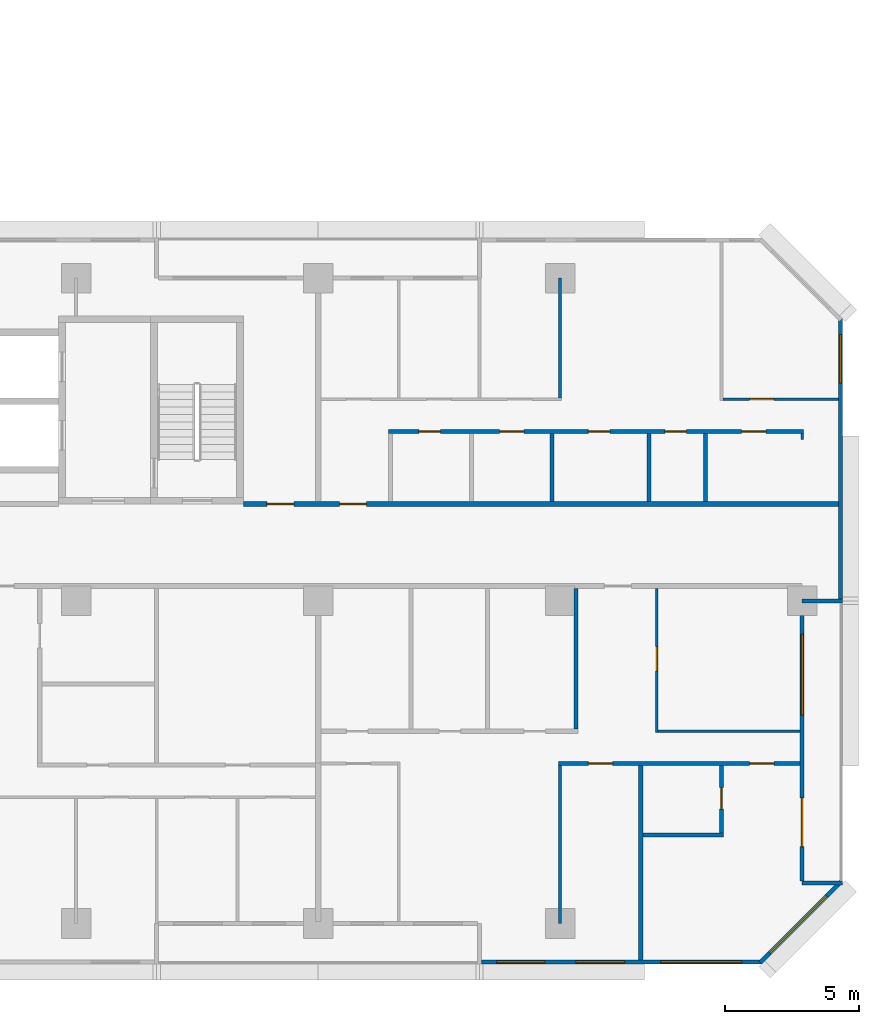
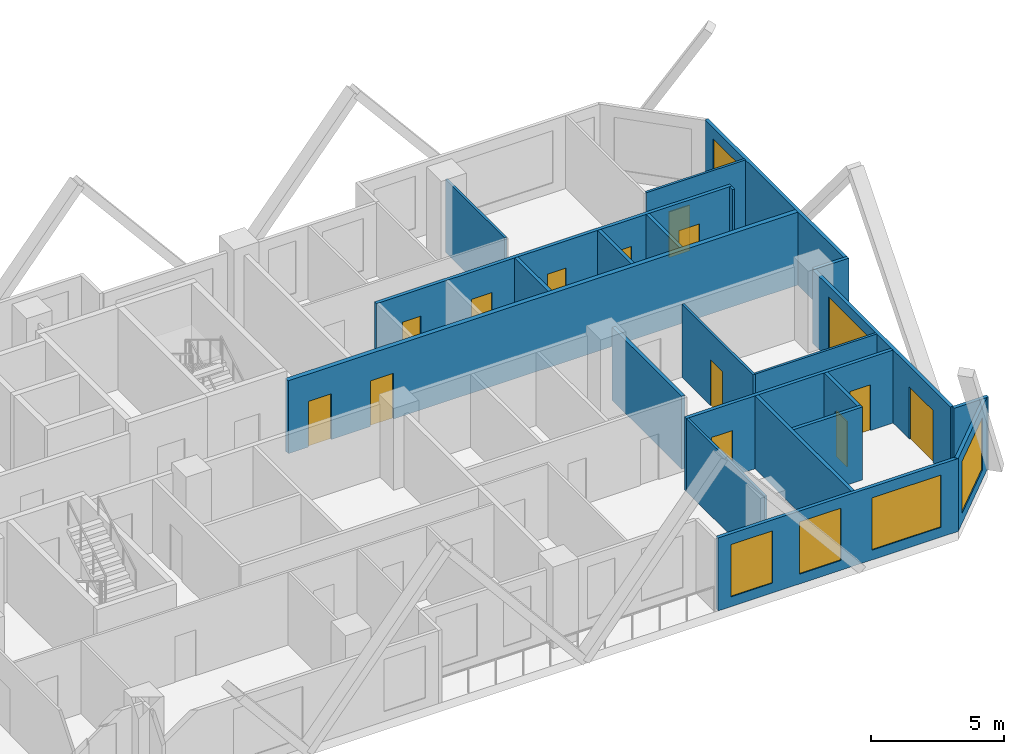
# One storey, part 11 of 15: 22 walls, 13 doors, 6 windows, 19 openings.
"""IFC4 building model written with IfcOpenShell, lengths in metres."""

import ifcopenshell
import ifcopenshell.guid

model = None  # the IFC model being written
_history = None  # IfcOwnerHistory: only IFC2X3 demands one
_inside = {}  # id of a spatial element -> (the spatial element, [elements in it])
_under = {}  # id of a project, library or spatial element -> (it, [spatial elements below it])
_declared = {}  # id of a project -> (the project, [libraries it declares])
_typed = {}  # id of a type object -> (the type object, [elements of that type])
_made_of = {}  # id of a material, layer set ... -> (it, [elements and type objects made of it])


def new_model(schema):
    """Start an empty IFC model of exactly this schema.

    Asked for "IFC4X3", IfcOpenShell would pick the latest addendum, in which some entities
    have other attributes; the version numbers below select the first issue.
    IFC2X3 requires an IfcOwnerHistory on every rooted entity: one is made here for all.
    """
    global model, _history
    if schema == "IFC4X3":
        model = ifcopenshell.file(schema_version=(4, 3, 0, 0))
    else:
        model = ifcopenshell.file(schema=schema)
    _inside.clear()
    _under.clear()
    _declared.clear()
    _typed.clear()
    _made_of.clear()
    _history = None
    if model.schema == "IFC2X3":
        org = make("IfcOrganization", Name="unknown")
        user = make(
            "IfcPersonAndOrganization",
            ThePerson=make("IfcPerson", FamilyName="unknown"),
            TheOrganization=org,
        )
        app = make(
            "IfcApplication",
            ApplicationDeveloper=org,
            Version="unknown",
            ApplicationFullName="unknown",
            ApplicationIdentifier="unknown",
        )
        _history = make(
            "IfcOwnerHistory",
            OwningUser=user,
            OwningApplication=app,
            ChangeAction="ADDED",
            CreationDate=0,
        )
    return model


def make(cls, **values):
    """One entity of the class cls with the attributes given. An attribute that is None is left unset."""
    return model.create_entity(
        cls, **{name: value for name, value in values.items() if value is not None}
    )


def rooted(cls, **values):
    """An entity with a GlobalId (a new one), such as an element, a storey or a relation."""
    return make(cls, GlobalId=ifcopenshell.guid.new(), OwnerHistory=_history, **values)


def si_unit(unit_type, name, prefix=None):
    """IfcSIUnit, for example si_unit("LENGTHUNIT", "METRE", prefix="MILLI")."""
    return make("IfcSIUnit", UnitType=unit_type, Prefix=prefix, Name=name)


def assignment(units):
    """IfcUnitAssignment: the units of a project."""
    return None if units is None else make("IfcUnitAssignment", Units=units)


def point(xyz):
    """IfcCartesianPoint."""
    return None if xyz is None else make("IfcCartesianPoint", Coordinates=xyz)


def direction(xyz):
    """IfcDirection."""
    return None if xyz is None else make("IfcDirection", DirectionRatios=xyz)


def frame(location, z_axis=None, x_axis=None):
    """IfcAxis2Placement3D, a coordinate frame: its origin and axes. An axis left out is left unset."""
    return make(
        "IfcAxis2Placement3D",
        Location=point(location),
        Axis=direction(z_axis),
        RefDirection=direction(x_axis),
    )


def frame_2d(location, x_axis=None):
    """IfcAxis2Placement2D, a coordinate frame in the plane: its origin and x axis."""
    return make(
        "IfcAxis2Placement2D", Location=point(location), RefDirection=direction(x_axis)
    )


def origin():
    """The frame at (0, 0, 0) with its axes left unset."""
    return frame((0.0, 0.0, 0.0))


def place(relative_to, where):
    """IfcLocalPlacement: puts the frame where relative to a parent placement (None: the world)."""
    return make(
        "IfcLocalPlacement", PlacementRelTo=relative_to, RelativePlacement=where
    )


def context(
    kind, dimensions, precision=None, world=None, true_north=None, identifier=None
):
    """IfcGeometricRepresentationContext, for example the 3D "Model" context."""
    return make(
        "IfcGeometricRepresentationContext",
        ContextIdentifier=identifier,
        ContextType=kind,
        CoordinateSpaceDimension=dimensions,
        Precision=precision,
        WorldCoordinateSystem=world,
        TrueNorth=true_north,
    )


def subcontext(parent, identifier, kind, view, scale=None):
    """IfcGeometricRepresentationSubContext, for example "Body" below "Model"."""
    return make(
        "IfcGeometricRepresentationSubContext",
        ContextIdentifier=identifier,
        ContextType=kind,
        ParentContext=parent,
        TargetScale=scale,
        TargetView=view,
    )


def project(units=None, contexts=None):
    """IfcProject with its units and contexts."""
    return rooted(
        "IfcProject",
        Name="project",
        RepresentationContexts=contexts,
        UnitsInContext=assignment(units),
    )


def spatial(cls, under=None, at=None, **own):
    """A site, building, storey or space (cls), placed at a placement, below another one or the project."""
    s = rooted(cls, ObjectPlacement=at, **own)
    if under is not None:
        _under.setdefault(under.id(), (under, []))[1].append(s)
    return s


def profile(cls, at=None, kind="AREA", **sizes):
    """A parametric profile (cls). Its sizes go by their IFC names, for example OverallWidth=200.0."""
    return make(cls, ProfileType=kind, Position=at, **sizes)


def rectangle(**sizes):
    """IfcRectangleProfileDef."""
    return profile("IfcRectangleProfileDef", **sizes)


def extrude(swept, where, along, depth):
    """IfcExtrudedAreaSolid: the profile swept, set in the frame where, extruded along a direction by depth."""
    return make(
        "IfcExtrudedAreaSolid",
        SweptArea=swept,
        Position=where,
        ExtrudedDirection=direction(along),
        Depth=depth,
    )


def shape(context_of_items, identifier, shape_type, items):
    """IfcShapeRepresentation: the items that make up one representation, for example the "Body"."""
    return make(
        "IfcShapeRepresentation",
        ContextOfItems=context_of_items,
        RepresentationIdentifier=identifier,
        RepresentationType=shape_type,
        Items=items,
    )


def material(Name=None, Category=None):
    """IfcMaterial."""
    return make("IfcMaterial", Name=Name, Category=Category)


def layer(
    of_material, thickness, ventilated=None, Name=None, Category=None, Priority=None
):
    """IfcMaterialLayer: one layer of a wall or slab, of a material (None: an air gap)."""
    return make(
        "IfcMaterialLayer",
        Material=of_material,
        LayerThickness=thickness,
        IsVentilated=ventilated,
        Name=Name,
        Category=Category,
        Priority=Priority,
    )


def layer_set(layers, Name=None):
    """IfcMaterialLayerSet."""
    return make("IfcMaterialLayerSet", MaterialLayers=layers, LayerSetName=Name)


def made_of(thing, what):
    """Note that an element or type object is made of a material, layer set ...; save() writes the relation."""
    if what is not None:
        _made_of.setdefault(what.id(), (what, []))[1].append(thing)
    return thing


def type_object(cls, material=None, **own):
    """A type object (cls), such as IfcWallType, which elements share."""
    return made_of(rooted(cls, **own), material)


def element(
    cls,
    number,
    at=None,
    inside=None,
    cuts=None,
    type_object=None,
    material=None,
    context=None,
    identifier="Body",
    shape_type=None,
    held_by="IfcProductDefinitionShape",
    body=None,
    shapes=None,
    **own,
):
    """One element of the class cls, such as IfcWall. Its Tag is "e" and its number.

    at: its placement. inside: the storey or other place that contains it. cuts: it is an
    opening in that element (IfcRelVoidsElement). A single representation is given by context,
    identifier, shape_type and body (its items); several are given by shapes. held_by: the class
    of the entity that holds the representations. save() writes the other relations.
    """
    e = rooted(cls, Tag="e%d" % number, ObjectPlacement=at, **own)
    if body is not None:
        shapes = [shape(context, identifier, shape_type, body)]
    if shapes is not None:
        e.Representation = make(held_by, Representations=shapes)
    if inside is not None:
        _inside.setdefault(inside.id(), (inside, []))[1].append(e)
    if cuts is not None:
        rooted(
            "IfcRelVoidsElement", RelatingBuildingElement=cuts, RelatedOpeningElement=e
        )
    if type_object is not None:
        _typed.setdefault(type_object.id(), (type_object, []))[1].append(e)
    return made_of(e, material)


def fill(opening, filler):
    """IfcRelFillsElement: the door or window that sits in an opening."""
    return rooted(
        "IfcRelFillsElement",
        RelatingOpeningElement=opening,
        RelatedBuildingElement=filler,
    )


def aggregate(whole, parts):
    """IfcRelAggregates: a whole, such as a stair, and the parts it consists of."""
    return rooted("IfcRelAggregates", RelatingObject=whole, RelatedObjects=parts)


def save(model, path):
    """Write the relations noted so far, then the file.

    IfcRelAggregates (storeys below a building ...), IfcRelContainedInSpatialStructure (elements
    in a storey), IfcRelDefinesByType, IfcRelAssociatesMaterial and IfcRelDeclares: one each for
    every whole, place, type object, material and project.
    """
    for whole, parts in _under.values():
        aggregate(whole, parts)
    for where, things in _inside.values():
        rooted(
            "IfcRelContainedInSpatialStructure",
            RelatedElements=things,
            RelatingStructure=where,
        )
    for kind, things in _typed.values():
        rooted("IfcRelDefinesByType", RelatedObjects=things, RelatingType=kind)
    for what, things in _made_of.values():
        rooted("IfcRelAssociatesMaterial", RelatedObjects=things, RelatingMaterial=what)
    for by, libraries in _declared.values():
        rooted("IfcRelDeclares", RelatingContext=by, RelatedDefinitions=libraries)
    model.write(path)


model = new_model("IFC4")

# Units and contexts
model_context = context("Model", 3, precision=1e-05, world=origin(), true_north=direction((0.0, 1.0)))
body_context = subcontext(model_context, "Body", "Model", "MODEL_VIEW")
ifc_project = project(units=[si_unit("LENGTHUNIT", "METRE"), si_unit("AREAUNIT", "SQUARE_METRE"), si_unit("VOLUMEUNIT", "CUBIC_METRE"), si_unit("PLANEANGLEUNIT", "RADIAN"), si_unit("MASSUNIT", "GRAM", prefix="KILO")], contexts=[model_context])

# Site, building, storey
site_placement = place(None, origin())
site = spatial("IfcSite", under=ifc_project, at=site_placement, CompositionType="ELEMENT")
building_placement = place(site_placement, origin())
building = spatial("IfcBuilding", under=site, at=building_placement, Name="Chenar Terraces", CompositionType="ELEMENT")
storey_placement = place(building_placement, frame((0.0, 0.0, 48.89990234375)))
storey = spatial("IfcBuildingStorey", under=building, at=storey_placement, Name="L09", CompositionType="ELEMENT", Elevation=48.89990234375)

# Wall, openings, doors
ifc_material_1 = material(Name="Gypsum board on steel studs with fire boards", Category="steel")
ifc_layer_1 = layer(ifc_material_1, 0.199951171875)
ifc_layer_set_1 = layer_set([ifc_layer_1], Name="Gypsum board on steel studs with fire boards")
wall_type_1 = type_object("IfcWallType", Name="Corridor wall 200", PredefinedType="PARTITIONING", material=ifc_layer_set_1)
wall_1_placement = place(storey_placement, frame((51.22509765625, 15.60009765625, 0.0), z_axis=(0.0, 0.0, 1.0), x_axis=(1.0, 0.0, 0.0)))
wall_1 = element("IfcWall", 1, at=wall_1_placement, inside=storey, type_object=wall_type_1, Name="Partition L09-081", PredefinedType="PARTITIONING", context=body_context, shape_type="SweptSolid", body=[
    extrude(rectangle(XDim=22.125, YDim=0.199951171875, at=frame_2d((11.0625, 0.0))), origin(), (0.0, 0.0, 1.0), 3.35009765625),
])
opening_1_placement = place(wall_1_placement, frame((3.574951171875, 0.0, 0.0)))
opening_1 = element("IfcOpeningElement", 2, at=opening_1_placement, cuts=wall_1, Name="Opening DL09-11", PredefinedType="OPENING", context=body_context, shape_type="SweptSolid", body=[
    extrude(rectangle(XDim=1.0, YDim=2.10009765625, at=frame_2d((0.5, 1.050048828125))), frame((0.0, 0.10986328125, 0.0), z_axis=(0.0, -1.0, 0.0), x_axis=(1.0, 0.0, 0.0)), (0.0, 0.0, 1.0), 0.219970703125),
])
opening_2_placement = place(wall_1_placement, frame((0.875, 0.0, 0.0)))
opening_2 = element("IfcOpeningElement", 3, at=opening_2_placement, cuts=wall_1, Name="Opening DL09-49", PredefinedType="OPENING", context=body_context, shape_type="SweptSolid", body=[
    extrude(rectangle(XDim=1.0, YDim=2.10009765625, at=frame_2d((0.5, 1.050048828125))), frame((0.0, 0.10986328125, 0.0), z_axis=(0.0, -1.0, 0.0), x_axis=(1.0, 0.0, 0.0)), (0.0, 0.0, 1.0), 0.219970703125),
])
ifc_material_2 = material(Name="Steel-framed fire-resisting door leaf", Category="steel")
door_type_1 = type_object("IfcDoorType", Name="Fire door FD30S 1000 x 2100", OperationType="SINGLE_SWING_LEFT", PredefinedType="DOOR", material=ifc_material_2)
door_1_placement = place(opening_1_placement, origin())
door_1 = element("IfcDoor", 4, at=door_1_placement, inside=storey, type_object=door_type_1, Name="Door DL09-11", OperationType="SINGLE_SWING_LEFT", OverallHeight=2.10009765625, OverallWidth=1.0, PredefinedType="DOOR", context=body_context, shape_type="SweptSolid", body=[
    extrude(rectangle(XDim=1.0, YDim=2.10009765625, at=frame_2d((0.5, 1.050048828125))), frame((0.0, 0.02490234375, 0.0), z_axis=(0.0, -1.0, 0.0), x_axis=(1.0, 0.0, 0.0)), (0.0, 0.0, 1.0), 0.050048828125),
])
fill(opening_1, door_1)
door_2_placement = place(opening_2_placement, origin())
door_2 = element("IfcDoor", 5, at=door_2_placement, inside=storey, type_object=door_type_1, Name="Door DL09-49", OperationType="SINGLE_SWING_RIGHT", OverallHeight=2.10009765625, OverallWidth=1.0, PredefinedType="DOOR", context=body_context, shape_type="SweptSolid", body=[
    extrude(rectangle(XDim=1.0, YDim=2.10009765625, at=frame_2d((0.5, 1.050048828125))), frame((0.0, 0.02490234375, 0.0), z_axis=(0.0, -1.0, 0.0), x_axis=(1.0, 0.0, 0.0)), (0.0, 0.0, 1.0), 0.050048828125),
])
fill(opening_2, door_2)

# Wall, openings, windows
ifc_material_3 = material(Name="Aluminium framed glazing", Category="aluminium")
ifc_layer_2 = layer(ifc_material_3, 0.14990234375)
ifc_layer_set_2 = layer_set([ifc_layer_2], Name="Aluminium framed glazing")
wall_type_2 = type_object("IfcWallType", Name="Glazed flush facade wall 150", PredefinedType="SOLIDWALL", material=ifc_layer_set_2)
wall_2_placement = place(storey_placement, frame((60.074951171875, -1.425048828125, 0.0), z_axis=(0.0, 0.0, 1.0), x_axis=(1.0, 0.0, 0.0)))
wall_2 = element("IfcWall", 6, at=wall_2_placement, inside=storey, type_object=wall_type_2, Name="Glazed flush facade wall", PredefinedType="SOLIDWALL", context=body_context, shape_type="SweptSolid", body=[
    extrude(rectangle(XDim=10.425048828125, YDim=0.14990234375, at=frame_2d((5.21240234375, 0.0))), origin(), (0.0, 0.0, 1.0), 3.35009765625),
])
opening_3_placement = place(wall_2_placement, frame((0.5625, 0.0, 0.449951171875)))
opening_3 = element("IfcOpeningElement", 7, at=opening_3_placement, cuts=wall_2, Name="Opening W180x240", PredefinedType="OPENING", context=body_context, shape_type="SweptSolid", body=[
    extrude(rectangle(XDim=1.800048828125, YDim=2.39990234375, at=frame_2d((0.89990234375, 1.199951171875))), frame((0.0, 0.0849609375, 0.0), z_axis=(0.0, -1.0, 0.0), x_axis=(1.0, 0.0, 0.0)), (0.0, 0.0, 1.0), 0.169921875),
])
opening_4_placement = place(wall_2_placement, frame((3.52490234375, 0.0, 0.449951171875)))
opening_4 = element("IfcOpeningElement", 8, at=opening_4_placement, cuts=wall_2, Name="Opening W180x240", PredefinedType="OPENING", context=body_context, shape_type="SweptSolid", body=[
    extrude(rectangle(XDim=1.800048828125, YDim=2.39990234375, at=frame_2d((0.89990234375, 1.199951171875))), frame((0.0, 0.0849609375, 0.0), z_axis=(0.0, -1.0, 0.0), x_axis=(1.0, 0.0, 0.0)), (0.0, 0.0, 1.0), 0.169921875),
])
opening_5_placement = place(wall_2_placement, frame((6.675048828125, 0.0, 0.449951171875)))
opening_5 = element("IfcOpeningElement", 9, at=opening_5_placement, cuts=wall_2, Name="Opening W300x240", PredefinedType="OPENING", context=body_context, shape_type="SweptSolid", body=[
    extrude(rectangle(XDim=3.0, YDim=2.39990234375, at=frame_2d((1.5, 1.199951171875))), frame((0.0, 0.0849609375, 0.0), z_axis=(0.0, -1.0, 0.0), x_axis=(1.0, 0.0, 0.0)), (0.0, 0.0, 1.0), 0.169921875),
])
ifc_material_4 = material(Name="Low emissivity double glazing, aluminium frame", Category="aluminium")
window_type_1 = type_object("IfcWindowType", Name="Fixed light 1800 x 2400", PartitioningType="SINGLE_PANEL", PredefinedType="WINDOW", material=ifc_material_4)
window_1_placement = place(opening_3_placement, origin())
window_1 = element("IfcWindow", 10, at=window_1_placement, inside=storey, type_object=window_type_1, Name="Window", OverallHeight=2.39990234375, OverallWidth=1.800048828125, PartitioningType="SINGLE_PANEL", PredefinedType="WINDOW", context=body_context, shape_type="SweptSolid", body=[
    extrude(rectangle(XDim=1.800048828125, YDim=2.39990234375, at=frame_2d((0.89990234375, 1.199951171875))), frame((0.0, 0.030029296875, 0.0), z_axis=(0.0, -1.0, 0.0), x_axis=(1.0, 0.0, 0.0)), (0.0, 0.0, 1.0), 0.06005859375),
])
fill(opening_3, window_1)
window_2_placement = place(opening_4_placement, origin())
window_2 = element("IfcWindow", 11, at=window_2_placement, inside=storey, type_object=window_type_1, Name="Window", OverallHeight=2.39990234375, OverallWidth=1.800048828125, PartitioningType="SINGLE_PANEL", PredefinedType="WINDOW", context=body_context, shape_type="SweptSolid", body=[
    extrude(rectangle(XDim=1.800048828125, YDim=2.39990234375, at=frame_2d((0.89990234375, 1.199951171875))), frame((0.0, 0.030029296875, 0.0), z_axis=(0.0, -1.0, 0.0), x_axis=(1.0, 0.0, 0.0)), (0.0, 0.0, 1.0), 0.06005859375),
])
fill(opening_4, window_2)
ifc_material_5 = material(Name="Low emissivity double glazing, aluminium frame", Category="aluminium")
window_type_2 = type_object("IfcWindowType", Name="Fixed light 3000 x 2400", PartitioningType="SINGLE_PANEL", PredefinedType="WINDOW", material=ifc_material_5)
window_3_placement = place(opening_5_placement, origin())
window_3 = element("IfcWindow", 12, at=window_3_placement, inside=storey, type_object=window_type_2, Name="Window", OverallHeight=2.39990234375, OverallWidth=3.0, PartitioningType="SINGLE_PANEL", PredefinedType="WINDOW", context=body_context, shape_type="SweptSolid", body=[
    extrude(rectangle(XDim=3.0, YDim=2.39990234375, at=frame_2d((1.5, 1.199951171875))), frame((0.0, 0.030029296875, 0.0), z_axis=(0.0, -1.0, 0.0), x_axis=(1.0, 0.0, 0.0)), (0.0, 0.0, 1.0), 0.06005859375),
])
fill(opening_5, window_3)

# Wall, opening, window
wall_3_placement = place(storey_placement, frame((73.425048828125, 12.074951171875, 0.0), z_axis=(0.0, 0.0, 1.0), x_axis=(0.0, 1.0, 0.0)))
wall_3 = element("IfcWall", 13, at=wall_3_placement, inside=storey, type_object=wall_type_2, Name="Glazed flush facade wall", PredefinedType="SOLIDWALL", context=body_context, shape_type="SweptSolid", body=[
    extrude(rectangle(XDim=10.425048828125, YDim=0.14990234375, at=frame_2d((5.21240234375, 0.0))), origin(), (0.0, 0.0, 1.0), 3.35009765625),
])
opening_6_placement = place(wall_3_placement, frame((8.02490234375, 0.0, 0.449951171875)))
opening_6 = element("IfcOpeningElement", 14, at=opening_6_placement, cuts=wall_3, Name="Opening W180x240", PredefinedType="OPENING", context=body_context, shape_type="SweptSolid", body=[
    extrude(rectangle(XDim=1.800048828125, YDim=2.39990234375, at=frame_2d((0.89990234375, 1.199951171875))), frame((0.0, 0.0849609375, 0.0), z_axis=(0.0, -1.0, 0.0), x_axis=(1.0, 0.0, 0.0)), (0.0, 0.0, 1.0), 0.169921875),
])
window_4_placement = place(opening_6_placement, origin())
window_4 = element("IfcWindow", 15, at=window_4_placement, inside=storey, type_object=window_type_1, Name="Window", OverallHeight=2.39990234375, OverallWidth=1.800048828125, PartitioningType="SINGLE_PANEL", PredefinedType="WINDOW", context=body_context, shape_type="SweptSolid", body=[
    extrude(rectangle(XDim=1.800048828125, YDim=2.39990234375, at=frame_2d((0.89990234375, 1.199951171875))), frame((0.0, 0.030029296875, 0.0), z_axis=(0.0, -1.0, 0.0), x_axis=(1.0, 0.0, 0.0)), (0.0, 0.0, 1.0), 0.06005859375),
])
fill(opening_6, window_4)

# Wall, openings, window, door
ifc_material_6 = material(Name="Aluminium framed glazing", Category="aluminium")
ifc_layer_3 = layer(ifc_material_6, 0.14990234375)
ifc_layer_set_3 = layer_set([ifc_layer_3], Name="Aluminium framed glazing")
wall_type_3 = type_object("IfcWallType", Name="Glazed loggia back wall 150", PredefinedType="SOLIDWALL", material=ifc_layer_set_3)
wall_4_placement = place(storey_placement, frame((72.0, 1.574951171875, 0.0), z_axis=(0.0, 0.0, 1.0), x_axis=(0.0, 1.0, 0.0)))
wall_4 = element("IfcWall", 16, at=wall_4_placement, inside=storey, type_object=wall_type_3, Name="Glazed loggia back wall", PredefinedType="SOLIDWALL", context=body_context, shape_type="SweptSolid", body=[
    extrude(rectangle(XDim=10.35009765625, YDim=0.14990234375, at=frame_2d((5.175048828125, 0.0))), origin(), (0.0, 0.0, 1.0), 3.35009765625),
])
opening_7_placement = place(wall_4_placement, frame((1.28759765625, 0.0, 0.0)))
opening_7 = element("IfcOpeningElement", 17, at=opening_7_placement, cuts=wall_4, Name="Opening DL09-G6", PredefinedType="OPENING", context=body_context, shape_type="SweptSolid", body=[
    extrude(rectangle(XDim=1.800048828125, YDim=2.39990234375, at=frame_2d((0.89990234375, 1.199951171875))), frame((0.0, 0.0849609375, 0.0), z_axis=(0.0, -1.0, 0.0), x_axis=(1.0, 0.0, 0.0)), (0.0, 0.0, 1.0), 0.169921875),
])
opening_8_placement = place(wall_4_placement, frame((6.175048828125, 0.0, 0.449951171875)))
opening_8 = element("IfcOpeningElement", 18, at=opening_8_placement, cuts=wall_4, Name="Opening W300x240", PredefinedType="OPENING", context=body_context, shape_type="SweptSolid", body=[
    extrude(rectangle(XDim=3.0, YDim=2.39990234375, at=frame_2d((1.5, 1.199951171875))), frame((0.0, 0.0849609375, 0.0), z_axis=(0.0, -1.0, 0.0), x_axis=(1.0, 0.0, 0.0)), (0.0, 0.0, 1.0), 0.169921875),
])
window_5_placement = place(opening_8_placement, origin())
window_5 = element("IfcWindow", 19, at=window_5_placement, inside=storey, type_object=window_type_2, Name="Window", OverallHeight=2.39990234375, OverallWidth=3.0, PartitioningType="SINGLE_PANEL", PredefinedType="WINDOW", context=body_context, shape_type="SweptSolid", body=[
    extrude(rectangle(XDim=3.0, YDim=2.39990234375, at=frame_2d((1.5, 1.199951171875))), frame((0.0, 0.030029296875, 0.0), z_axis=(0.0, -1.0, 0.0), x_axis=(1.0, 0.0, 0.0)), (0.0, 0.0, 1.0), 0.06005859375),
])
fill(opening_8, window_5)
ifc_material_7 = material(Name="Low emissivity double glazing, aluminium frame", Category="aluminium")
door_type_2 = type_object("IfcDoorType", Name="Loggia glazed double door 1800 x 2400", OperationType="DOUBLE_DOOR_SINGLE_SWING", PredefinedType="DOOR", material=ifc_material_7)
door_3_placement = place(opening_7_placement, frame((1.800048828125, 0.0, 0.0), z_axis=(0.0, 0.0, 1.0), x_axis=(-1.0, 0.0, 0.0)))
door_3 = element("IfcDoor", 20, at=door_3_placement, inside=storey, type_object=door_type_2, Name="Loggia glazed door", OperationType="DOUBLE_DOOR_SINGLE_SWING", OverallHeight=2.39990234375, OverallWidth=1.800048828125, PredefinedType="DOOR", context=body_context, shape_type="SweptSolid", body=[
    extrude(rectangle(XDim=1.800048828125, YDim=2.39990234375, at=frame_2d((0.89990234375, 1.199951171875))), frame((0.0, 0.02490234375, 0.0), z_axis=(0.0, -1.0, 0.0), x_axis=(1.0, 0.0, 0.0)), (0.0, 0.0, 1.0), 0.050048828125),
])
fill(opening_7, door_3)

# Walls
ifc_material_8 = material(Name="Gypsum board on steel studs", Category="steel")
ifc_layer_4 = layer(ifc_material_8, 0.10009765625)
ifc_layer_set_4 = layer_set([ifc_layer_4], Name="Gypsum board on steel studs")
wall_type_4 = type_object("IfcWallType", Name="Gypsum partition 100", PredefinedType="PARTITIONING", material=ifc_layer_set_4)
wall_5_placement = place(storey_placement, frame((63.0, 0.0, 0.0), z_axis=(0.0, 0.0, 1.0), x_axis=(0.0, 1.0, 0.0)))
element("IfcWall", 21, at=wall_5_placement, inside=storey, type_object=wall_type_4, Name="Partition L09-098", PredefinedType="PARTITIONING", context=body_context, shape_type="SweptSolid", body=[
    extrude(rectangle(XDim=5.875, YDim=0.10009765625, at=frame_2d((2.9375, 0.0))), origin(), (0.0, 0.0, 1.0), 3.35009765625),
])
wall_6_placement = place(storey_placement, frame((63.0, 19.550048828125, 0.0), z_axis=(0.0, 0.0, 1.0), x_axis=(0.0, 1.0, 0.0)))
element("IfcWall", 22, at=wall_6_placement, inside=storey, type_object=wall_type_4, Name="Partition L09-099", PredefinedType="PARTITIONING", context=body_context, shape_type="SweptSolid", body=[
    extrude(rectangle(XDim=4.449951171875, YDim=0.10009765625, at=frame_2d((2.22509765625, 0.0))), origin(), (0.0, 0.0, 1.0), 3.35009765625),
])

# Wall, opening, door
wall_7_placement = place(storey_placement, frame((66.60009765625, 7.10009765625, 0.0), z_axis=(0.0, 0.0, 1.0), x_axis=(0.0, 1.0, 0.0)))
wall_7 = element("IfcWall", 23, at=wall_7_placement, inside=storey, type_object=wall_type_4, Name="Partition L09-104", PredefinedType="PARTITIONING", context=body_context, shape_type="SweptSolid", body=[
    extrude(rectangle(XDim=5.349853515625, YDim=0.10009765625, at=frame_2d((2.6748046875, 0.0))), origin(), (0.0, 0.0, 1.0), 3.35009765625),
])
opening_9_placement = place(wall_7_placement, frame((2.300048828125, 0.0, 0.0)))
opening_9 = element("IfcOpeningElement", 24, at=opening_9_placement, cuts=wall_7, Name="Opening DL09-19", PredefinedType="OPENING", context=body_context, shape_type="SweptSolid", body=[
    extrude(rectangle(XDim=0.89990234375, YDim=2.10009765625, at=frame_2d((0.449951171875, 1.050048828125))), frame((0.0, 0.06005859375, 0.0), z_axis=(0.0, -1.0, 0.0), x_axis=(1.0, 0.0, 0.0)), (0.0, 0.0, 1.0), 0.1201171875),
])
ifc_material_9 = material(Name="Veneered timber door leaf", Category="wood")
door_type_3 = type_object("IfcDoorType", Name="Door 900 x 2100", OperationType="SINGLE_SWING_LEFT", PredefinedType="DOOR", material=ifc_material_9)
door_4_placement = place(opening_9_placement, frame((0.89990234375, 0.0, 0.0), z_axis=(0.0, 0.0, 1.0), x_axis=(-1.0, 0.0, 0.0)))
door_4 = element("IfcDoor", 25, at=door_4_placement, inside=storey, type_object=door_type_3, Name="Door DL09-19", OperationType="SINGLE_SWING_RIGHT", OverallHeight=2.10009765625, OverallWidth=0.89990234375, PredefinedType="DOOR", context=body_context, shape_type="SweptSolid", body=[
    extrude(rectangle(XDim=0.89990234375, YDim=2.10009765625, at=frame_2d((0.449951171875, 1.050048828125))), frame((0.0, 0.02490234375, 0.0), z_axis=(0.0, -1.0, 0.0), x_axis=(1.0, 0.0, 0.0)), (0.0, 0.0, 1.0), 0.050048828125),
])
fill(opening_9, door_4)

# Wall
wall_8_placement = place(storey_placement, frame((66.64990234375, 7.14990234375, 0.0), z_axis=(0.0, 0.0, 1.0), x_axis=(1.0, 0.0, 0.0)))
element("IfcWall", 26, at=wall_8_placement, inside=storey, type_object=wall_type_4, Name="Partition L09-105", PredefinedType="PARTITIONING", context=body_context, shape_type="SweptSolid", body=[
    extrude(rectangle(XDim=5.276123046875, YDim=0.10009765625, at=frame_2d((2.63818359375, 0.0))), origin(), (0.0, 0.0, 1.0), 3.35009765625),
])

# Wall, opening, door
wall_9_placement = place(storey_placement, frame((69.050048828125, 19.5, 0.0), z_axis=(0.0, 0.0, 1.0), x_axis=(1.0, 0.0, 0.0)))
wall_9 = element("IfcWall", 27, at=wall_9_placement, inside=storey, type_object=wall_type_4, Name="Partition L09-109", PredefinedType="PARTITIONING", context=body_context, shape_type="SweptSolid", body=[
    extrude(rectangle(XDim=4.301025390625, YDim=0.10009765625, at=frame_2d((2.150390625, 0.0))), origin(), (0.0, 0.0, 1.0), 3.35009765625),
])
opening_10_placement = place(wall_9_placement, frame((1.0, 0.0, 0.0)))
opening_10 = element("IfcOpeningElement", 28, at=opening_10_placement, cuts=wall_9, Name="Opening DL09-8", PredefinedType="OPENING", context=body_context, shape_type="SweptSolid", body=[
    extrude(rectangle(XDim=0.89990234375, YDim=2.10009765625, at=frame_2d((0.449951171875, 1.050048828125))), frame((0.0, 0.06005859375, 0.0), z_axis=(0.0, -1.0, 0.0), x_axis=(1.0, 0.0, 0.0)), (0.0, 0.0, 1.0), 0.1201171875),
])
door_5_placement = place(opening_10_placement, origin())
door_5 = element("IfcDoor", 29, at=door_5_placement, inside=storey, type_object=door_type_3, Name="Door DL09-8", OperationType="SINGLE_SWING_LEFT", OverallHeight=2.10009765625, OverallWidth=0.89990234375, PredefinedType="DOOR", context=body_context, shape_type="SweptSolid", body=[
    extrude(rectangle(XDim=0.89990234375, YDim=2.10009765625, at=frame_2d((0.449951171875, 1.050048828125))), frame((0.0, 0.02490234375, 0.0), z_axis=(0.0, -1.0, 0.0), x_axis=(1.0, 0.0, 0.0)), (0.0, 0.0, 1.0), 0.050048828125),
])
fill(opening_10, door_5)

# Walls
wall_10_placement = place(storey_placement, frame((72.0, 18.0, 0.0), z_axis=(0.0, 0.0, 1.0), x_axis=(0.0, 1.0, 0.0)))
element("IfcWall", 30, at=wall_10_placement, inside=storey, type_object=wall_type_4, Name="Partition L09-110", PredefinedType="PARTITIONING", context=body_context, shape_type="SweptSolid", body=[
    extrude(rectangle(XDim=0.22509765625, YDim=0.10009765625, at=frame_2d((0.112548828125, 0.0))), origin(), (0.0, 0.0, 1.0), 3.35009765625),
])
ifc_material_10 = material(Name="Terracotta cladding on insulated backing", Category="masonry")
ifc_layer_5 = layer(ifc_material_10, 0.14990234375)
ifc_layer_set_5 = layer_set([ifc_layer_5], Name="Terracotta cladding on insulated backing")
wall_type_5 = type_object("IfcWallType", Name="Loggia return wall 150", PredefinedType="SOLIDWALL", material=ifc_layer_set_5)
for number, where, z_axis, x_axis, name in (
    (31, (73.5, 1.5, 0.0), (0.0, 0.0, 1.0), (-1.0, 0.0, 0.0), "Loggia return wall"),
    (32, (73.5, 12.0, 0.0), (0.0, 0.0, 1.0), (-1.0, 0.0, 0.0), "Loggia return wall"),
):
    element("IfcWall", number, at=place(storey_placement, frame(where, z_axis=z_axis, x_axis=x_axis)), inside=storey, type_object=wall_type_5, Name=name, PredefinedType="SOLIDWALL", context=body_context, shape_type="SweptSolid", body=[
        extrude(rectangle(XDim=1.5, YDim=0.14990234375, at=frame_2d((0.75, 0.0))), origin(), (0.0, 0.0, 1.0), 3.35009765625),
    ])

# Wall, opening, window
ifc_material_11 = material(Name="Terracotta cladding on insulated backing", Category="masonry")
ifc_layer_6 = layer(ifc_material_11, 0.14990234375)
ifc_layer_set_6 = layer_set([ifc_layer_6], Name="Terracotta cladding on insulated backing")
wall_type_6 = type_object("IfcWallType", Name="Terracotta rainscreen wall 150", PredefinedType="SOLIDWALL", material=ifc_layer_set_6)
wall_11_placement = place(storey_placement, frame((70.447021484375, -1.447021484375, 0.0), z_axis=(0.0, 0.0, 1.0), x_axis=(0.707106781187, 0.707106781187, 0.0)))
wall_11 = element("IfcWall", 33, at=wall_11_placement, inside=storey, type_object=wall_type_6, Name="Terracotta rainscreen wall", PredefinedType="SOLIDWALL", context=body_context, shape_type="SweptSolid", body=[
    extrude(rectangle(XDim=4.24267578125, YDim=0.14990234375, at=frame_2d((2.121337890625, 0.0))), origin(), (0.0, 0.0, 1.0), 3.35009765625),
])
opening_11_placement = place(wall_11_placement, frame((0.498046875, 0.0, 0.449951171875)))
opening_11 = element("IfcOpeningElement", 34, at=opening_11_placement, cuts=wall_11, Name="Opening W300x240", PredefinedType="OPENING", context=body_context, shape_type="SweptSolid", body=[
    extrude(rectangle(XDim=3.0, YDim=2.39990234375, at=frame_2d((1.5, 1.199951171875))), frame((0.0, 0.0849609375, 0.0), z_axis=(0.0, -1.0, 0.0), x_axis=(1.0, 0.0, 0.0)), (0.0, 0.0, 1.0), 0.169921875),
])
window_6_placement = place(opening_11_placement, origin())
window_6 = element("IfcWindow", 35, at=window_6_placement, inside=storey, type_object=window_type_2, Name="Window", OverallHeight=2.39990234375, OverallWidth=3.0, PartitioningType="SINGLE_PANEL", PredefinedType="WINDOW", context=body_context, shape_type="SweptSolid", body=[
    extrude(rectangle(XDim=3.0, YDim=2.39990234375, at=frame_2d((1.5, 1.199951171875))), frame((0.0, 0.030029296875, 0.0), z_axis=(0.0, -1.0, 0.0), x_axis=(1.0, 0.0, 0.0)), (0.0, 0.0, 1.0), 0.06005859375),
])
fill(opening_11, window_6)

# Wall, openings, doors
ifc_material_12 = material(Name="Moisture-resistant gypsum board on steel studs", Category="steel")
ifc_layer_7 = layer(ifc_material_12, 0.14990234375)
ifc_layer_set_7 = layer_set([ifc_layer_7], Name="Moisture-resistant gypsum board on steel studs")
wall_type_7 = type_object("IfcWallType", Name="Wet-room partition 150", PredefinedType="PARTITIONING", material=ifc_layer_set_7)
wall_12_placement = place(storey_placement, frame((56.625, 18.300048828125, 0.0), z_axis=(0.0, 0.0, 1.0), x_axis=(1.0, 0.0, 0.0)))
wall_12 = element("IfcWall", 36, at=wall_12_placement, inside=storey, type_object=wall_type_7, Name="Partition L09-088", PredefinedType="PARTITIONING", context=body_context, shape_type="SweptSolid", body=[
    extrude(rectangle(XDim=15.425048828125, YDim=0.14990234375, at=frame_2d((7.71240234375, 0.0))), origin(), (0.0, 0.0, 1.0), 3.35009765625),
])
opening_12_placement = place(wall_12_placement, frame((10.27490234375, 0.0, 0.0)))
opening_12 = element("IfcOpeningElement", 37, at=opening_12_placement, cuts=wall_12, Name="Opening DL09-4", PredefinedType="OPENING", context=body_context, shape_type="SweptSolid", body=[
    extrude(rectangle(XDim=0.800048828125, YDim=2.10009765625, at=frame_2d((0.39990234375, 1.050048828125))), frame((0.0, 0.0849609375, 0.0), z_axis=(0.0, -1.0, 0.0), x_axis=(1.0, 0.0, 0.0)), (0.0, 0.0, 1.0), 0.169921875),
])
opening_13_placement = place(wall_12_placement, frame((13.125, 0.0, 0.0)))
opening_13 = element("IfcOpeningElement", 38, at=opening_13_placement, cuts=wall_12, Name="Opening DL09-9", PredefinedType="OPENING", context=body_context, shape_type="SweptSolid", body=[
    extrude(rectangle(XDim=0.89990234375, YDim=2.10009765625, at=frame_2d((0.449951171875, 1.050048828125))), frame((0.0, 0.0849609375, 0.0), z_axis=(0.0, -1.0, 0.0), x_axis=(1.0, 0.0, 0.0)), (0.0, 0.0, 1.0), 0.169921875),
])
opening_14_placement = place(wall_12_placement, frame((7.425048828125, 0.0, 0.0)))
opening_14 = element("IfcOpeningElement", 39, at=opening_14_placement, cuts=wall_12, Name="Opening DL09-10", PredefinedType="OPENING", context=body_context, shape_type="SweptSolid", body=[
    extrude(rectangle(XDim=0.800048828125, YDim=2.10009765625, at=frame_2d((0.39990234375, 1.050048828125))), frame((0.0, 0.0849609375, 0.0), z_axis=(0.0, -1.0, 0.0), x_axis=(1.0, 0.0, 0.0)), (0.0, 0.0, 1.0), 0.169921875),
])
opening_15_placement = place(wall_12_placement, frame((4.125, 0.0, 0.0)))
opening_15 = element("IfcOpeningElement", 40, at=opening_15_placement, cuts=wall_12, Name="Opening DL09-12", PredefinedType="OPENING", context=body_context, shape_type="SweptSolid", body=[
    extrude(rectangle(XDim=0.89990234375, YDim=2.10009765625, at=frame_2d((0.449951171875, 1.050048828125))), frame((0.0, 0.0849609375, 0.0), z_axis=(0.0, -1.0, 0.0), x_axis=(1.0, 0.0, 0.0)), (0.0, 0.0, 1.0), 0.169921875),
])
opening_16_placement = place(wall_12_placement, frame((1.125, 0.0, 0.0)))
opening_16 = element("IfcOpeningElement", 41, at=opening_16_placement, cuts=wall_12, Name="Opening DL09-13", PredefinedType="OPENING", context=body_context, shape_type="SweptSolid", body=[
    extrude(rectangle(XDim=0.800048828125, YDim=2.10009765625, at=frame_2d((0.39990234375, 1.050048828125))), frame((0.0, 0.0849609375, 0.0), z_axis=(0.0, -1.0, 0.0), x_axis=(1.0, 0.0, 0.0)), (0.0, 0.0, 1.0), 0.169921875),
])
ifc_material_13 = material(Name="Veneered timber door leaf", Category="wood")
door_type_4 = type_object("IfcDoorType", Name="Door 800 x 2100", OperationType="SINGLE_SWING_LEFT", PredefinedType="DOOR", material=ifc_material_13)
door_6_placement = place(opening_12_placement, frame((0.800048828125, 0.0, 0.0), z_axis=(0.0, 0.0, 1.0), x_axis=(-1.0, 0.0, 0.0)))
door_6 = element("IfcDoor", 42, at=door_6_placement, inside=storey, type_object=door_type_4, Name="Door DL09-4", OperationType="SINGLE_SWING_RIGHT", OverallHeight=2.10009765625, OverallWidth=0.800048828125, PredefinedType="DOOR", context=body_context, shape_type="SweptSolid", body=[
    extrude(rectangle(XDim=0.800048828125, YDim=2.10009765625, at=frame_2d((0.39990234375, 1.050048828125))), frame((0.0, 0.02490234375, 0.0), z_axis=(0.0, -1.0, 0.0), x_axis=(1.0, 0.0, 0.0)), (0.0, 0.0, 1.0), 0.050048828125),
])
fill(opening_12, door_6)
door_7_placement = place(opening_14_placement, frame((0.800048828125, 0.0, 0.0), z_axis=(0.0, 0.0, 1.0), x_axis=(-1.0, 0.0, 0.0)))
door_7 = element("IfcDoor", 43, at=door_7_placement, inside=storey, type_object=door_type_4, Name="Door DL09-10", OperationType="SINGLE_SWING_RIGHT", OverallHeight=2.10009765625, OverallWidth=0.800048828125, PredefinedType="DOOR", context=body_context, shape_type="SweptSolid", body=[
    extrude(rectangle(XDim=0.800048828125, YDim=2.10009765625, at=frame_2d((0.39990234375, 1.050048828125))), frame((0.0, 0.02490234375, 0.0), z_axis=(0.0, -1.0, 0.0), x_axis=(1.0, 0.0, 0.0)), (0.0, 0.0, 1.0), 0.050048828125),
])
fill(opening_14, door_7)
door_8_placement = place(opening_16_placement, frame((0.800048828125, 0.0, 0.0), z_axis=(0.0, 0.0, 1.0), x_axis=(-1.0, 0.0, 0.0)))
door_8 = element("IfcDoor", 44, at=door_8_placement, inside=storey, type_object=door_type_4, Name="Door DL09-13", OperationType="SINGLE_SWING_RIGHT", OverallHeight=2.10009765625, OverallWidth=0.800048828125, PredefinedType="DOOR", context=body_context, shape_type="SweptSolid", body=[
    extrude(rectangle(XDim=0.800048828125, YDim=2.10009765625, at=frame_2d((0.39990234375, 1.050048828125))), frame((0.0, 0.02490234375, 0.0), z_axis=(0.0, -1.0, 0.0), x_axis=(1.0, 0.0, 0.0)), (0.0, 0.0, 1.0), 0.050048828125),
])
fill(opening_16, door_8)
door_9_placement = place(opening_13_placement, frame((0.89990234375, 0.0, 0.0), z_axis=(0.0, 0.0, 1.0), x_axis=(-1.0, 0.0, 0.0)))
door_9 = element("IfcDoor", 45, at=door_9_placement, inside=storey, type_object=door_type_3, Name="Door DL09-9", OperationType="SINGLE_SWING_RIGHT", OverallHeight=2.10009765625, OverallWidth=0.89990234375, PredefinedType="DOOR", context=body_context, shape_type="SweptSolid", body=[
    extrude(rectangle(XDim=0.89990234375, YDim=2.10009765625, at=frame_2d((0.449951171875, 1.050048828125))), frame((0.0, 0.02490234375, 0.0), z_axis=(0.0, -1.0, 0.0), x_axis=(1.0, 0.0, 0.0)), (0.0, 0.0, 1.0), 0.050048828125),
])
fill(opening_13, door_9)
door_10_placement = place(opening_15_placement, frame((0.89990234375, 0.0, 0.0), z_axis=(0.0, 0.0, 1.0), x_axis=(-1.0, 0.0, 0.0)))
door_10 = element("IfcDoor", 46, at=door_10_placement, inside=storey, type_object=door_type_3, Name="Door DL09-12", OperationType="SINGLE_SWING_RIGHT", OverallHeight=2.10009765625, OverallWidth=0.89990234375, PredefinedType="DOOR", context=body_context, shape_type="SweptSolid", body=[
    extrude(rectangle(XDim=0.89990234375, YDim=2.10009765625, at=frame_2d((0.449951171875, 1.050048828125))), frame((0.0, 0.02490234375, 0.0), z_axis=(0.0, -1.0, 0.0), x_axis=(1.0, 0.0, 0.0)), (0.0, 0.0, 1.0), 0.050048828125),
])
fill(opening_15, door_10)

# Wall
wall_13_placement = place(storey_placement, frame((62.699951171875, 15.699951171875, 0.0), z_axis=(0.0, 0.0, 1.0), x_axis=(0.0, 1.0, 0.0)))
element("IfcWall", 47, at=wall_13_placement, inside=storey, type_object=wall_type_7, Name="Partition L09-096", PredefinedType="PARTITIONING", context=body_context, shape_type="SweptSolid", body=[
    extrude(rectangle(XDim=2.525146484375, YDim=0.14990234375, at=frame_2d((1.2626953125, 0.0))), origin(), (0.0, 0.0, 1.0), 3.35009765625),
])

# Wall, openings, doors
wall_14_placement = place(storey_placement, frame((62.949951171875, 5.949951171875, 0.0), z_axis=(0.0, 0.0, 1.0), x_axis=(1.0, 0.0, 0.0)))
wall_14 = element("IfcWall", 48, at=wall_14_placement, inside=storey, type_object=wall_type_7, Name="Partition L09-097", PredefinedType="PARTITIONING", context=body_context, shape_type="SweptSolid", body=[
    extrude(rectangle(XDim=8.97607421875, YDim=0.14990234375, at=frame_2d((4.488037109375, 0.0))), origin(), (0.0, 0.0, 1.0), 3.35009765625),
])
opening_17_placement = place(wall_14_placement, frame((1.10009765625, 0.0, 0.0)))
opening_17 = element("IfcOpeningElement", 49, at=opening_17_placement, cuts=wall_14, Name="Opening DL09-16", PredefinedType="OPENING", context=body_context, shape_type="SweptSolid", body=[
    extrude(rectangle(XDim=0.89990234375, YDim=2.10009765625, at=frame_2d((0.449951171875, 1.050048828125))), frame((0.0, 0.0849609375, 0.0), z_axis=(0.0, -1.0, 0.0), x_axis=(1.0, 0.0, 0.0)), (0.0, 0.0, 1.0), 0.169921875),
])
opening_18_placement = place(wall_14_placement, frame((7.10009765625, 0.0, 0.0)))
opening_18 = element("IfcOpeningElement", 50, at=opening_18_placement, cuts=wall_14, Name="Opening DL09-17", PredefinedType="OPENING", context=body_context, shape_type="SweptSolid", body=[
    extrude(rectangle(XDim=0.89990234375, YDim=2.10009765625, at=frame_2d((0.449951171875, 1.050048828125))), frame((0.0, 0.0849609375, 0.0), z_axis=(0.0, -1.0, 0.0), x_axis=(1.0, 0.0, 0.0)), (0.0, 0.0, 1.0), 0.169921875),
])
door_11_placement = place(opening_17_placement, frame((0.89990234375, 0.0, 0.0), z_axis=(0.0, 0.0, 1.0), x_axis=(-1.0, 0.0, 0.0)))
door_11 = element("IfcDoor", 51, at=door_11_placement, inside=storey, type_object=door_type_3, Name="Door DL09-16", OperationType="SINGLE_SWING_RIGHT", OverallHeight=2.10009765625, OverallWidth=0.89990234375, PredefinedType="DOOR", context=body_context, shape_type="SweptSolid", body=[
    extrude(rectangle(XDim=0.89990234375, YDim=2.10009765625, at=frame_2d((0.449951171875, 1.050048828125))), frame((0.0, 0.02490234375, 0.0), z_axis=(0.0, -1.0, 0.0), x_axis=(1.0, 0.0, 0.0)), (0.0, 0.0, 1.0), 0.050048828125),
])
fill(opening_17, door_11)
door_12_placement = place(opening_18_placement, frame((0.89990234375, 0.0, 0.0), z_axis=(0.0, 0.0, 1.0), x_axis=(-1.0, 0.0, 0.0)))
door_12 = element("IfcDoor", 52, at=door_12_placement, inside=storey, type_object=door_type_3, Name="Door DL09-17", OperationType="SINGLE_SWING_RIGHT", OverallHeight=2.10009765625, OverallWidth=0.89990234375, PredefinedType="DOOR", context=body_context, shape_type="SweptSolid", body=[
    extrude(rectangle(XDim=0.89990234375, YDim=2.10009765625, at=frame_2d((0.449951171875, 1.050048828125))), frame((0.0, 0.02490234375, 0.0), z_axis=(0.0, -1.0, 0.0), x_axis=(1.0, 0.0, 0.0)), (0.0, 0.0, 1.0), 0.050048828125),
])
fill(opening_18, door_12)

# Walls
wall_15_placement = place(storey_placement, frame((63.60009765625, 7.22509765625, 0.0), z_axis=(0.0, 0.0, 1.0), x_axis=(0.0, 1.0, 0.0)))
element("IfcWall", 53, at=wall_15_placement, inside=storey, type_object=wall_type_7, Name="Partition L09-100", PredefinedType="PARTITIONING", context=body_context, shape_type="SweptSolid", body=[
    extrude(rectangle(XDim=5.224853515625, YDim=0.14990234375, at=frame_2d((2.6123046875, 0.0))), origin(), (0.0, 0.0, 1.0), 3.35009765625),
])
wall_16_placement = place(storey_placement, frame((66.0, -1.35107421875, 0.0), z_axis=(0.0, 0.0, 1.0), x_axis=(0.0, 1.0, 0.0)))
element("IfcWall", 54, at=wall_16_placement, inside=storey, type_object=wall_type_7, Name="Partition L09-101", PredefinedType="PARTITIONING", context=body_context, shape_type="SweptSolid", body=[
    extrude(rectangle(XDim=7.22607421875, YDim=0.14990234375, at=frame_2d((3.613037109375, 0.0))), origin(), (0.0, 0.0, 1.0), 3.35009765625),
])
wall_17_placement = place(storey_placement, frame((66.074951171875, 3.300048828125, 0.0), z_axis=(0.0, 0.0, 1.0), x_axis=(1.0, 0.0, 0.0)))
element("IfcWall", 55, at=wall_17_placement, inside=storey, type_object=wall_type_7, Name="Partition L09-102", PredefinedType="PARTITIONING", context=body_context, shape_type="SweptSolid", body=[
    extrude(rectangle(XDim=3.0, YDim=0.14990234375, at=frame_2d((1.5, 0.0))), origin(), (0.0, 0.0, 1.0), 3.35009765625),
])
for number, where, z_axis, x_axis, name in (
    (56, (66.300048828125, 15.699951171875, 0.0), (0.0, 0.0, 1.0), (0.0, 1.0, 0.0), "Partition L09-103"),
    (57, (68.39990234375, 15.699951171875, 0.0), (0.0, 0.0, 1.0), (0.0, 1.0, 0.0), "Partition L09-106"),
):
    element("IfcWall", number, at=place(storey_placement, frame(where, z_axis=z_axis, x_axis=x_axis)), inside=storey, type_object=wall_type_7, Name=name, PredefinedType="PARTITIONING", context=body_context, shape_type="SweptSolid", body=[
        extrude(rectangle(XDim=2.525146484375, YDim=0.14990234375, at=frame_2d((1.2626953125, 0.0))), origin(), (0.0, 0.0, 1.0), 3.35009765625),
    ])

# Wall, opening, door
wall_18_placement = place(storey_placement, frame((69.0, 3.375, 0.0), z_axis=(0.0, 0.0, 1.0), x_axis=(0.0, 1.0, 0.0)))
wall_18 = element("IfcWall", 58, at=wall_18_placement, inside=storey, type_object=wall_type_7, Name="Partition L09-107", PredefinedType="PARTITIONING", context=body_context, shape_type="SweptSolid", body=[
    extrude(rectangle(XDim=2.5, YDim=0.14990234375, at=frame_2d((1.25, 0.0))), origin(), (0.0, 0.0, 1.0), 3.35009765625),
])
opening_19_placement = place(wall_18_placement, frame((0.875, 0.0, 0.0)))
opening_19 = element("IfcOpeningElement", 59, at=opening_19_placement, cuts=wall_18, Name="Opening DL09-18", PredefinedType="OPENING", context=body_context, shape_type="SweptSolid", body=[
    extrude(rectangle(XDim=0.800048828125, YDim=2.10009765625, at=frame_2d((0.39990234375, 1.050048828125))), frame((0.0, 0.0849609375, 0.0), z_axis=(0.0, -1.0, 0.0), x_axis=(1.0, 0.0, 0.0)), (0.0, 0.0, 1.0), 0.169921875),
])
door_13_placement = place(opening_19_placement, origin())
door_13 = element("IfcDoor", 60, at=door_13_placement, inside=storey, type_object=door_type_4, Name="Door DL09-18", OperationType="SINGLE_SWING_LEFT", OverallHeight=2.10009765625, OverallWidth=0.800048828125, PredefinedType="DOOR", context=body_context, shape_type="SweptSolid", body=[
    extrude(rectangle(XDim=0.800048828125, YDim=2.10009765625, at=frame_2d((0.39990234375, 1.050048828125))), frame((0.0, 0.02490234375, 0.0), z_axis=(0.0, -1.0, 0.0), x_axis=(1.0, 0.0, 0.0)), (0.0, 0.0, 1.0), 0.050048828125),
])
fill(opening_19, door_13)

save(model, "model.ifc")
